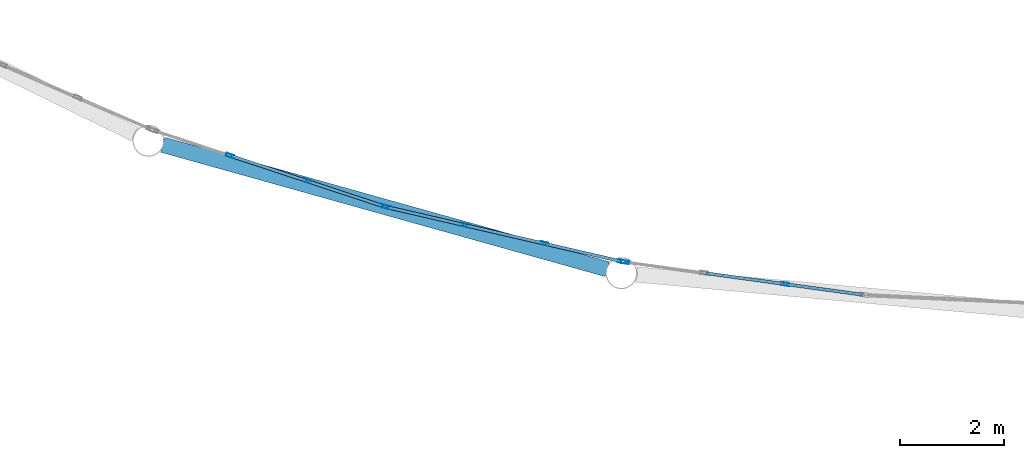
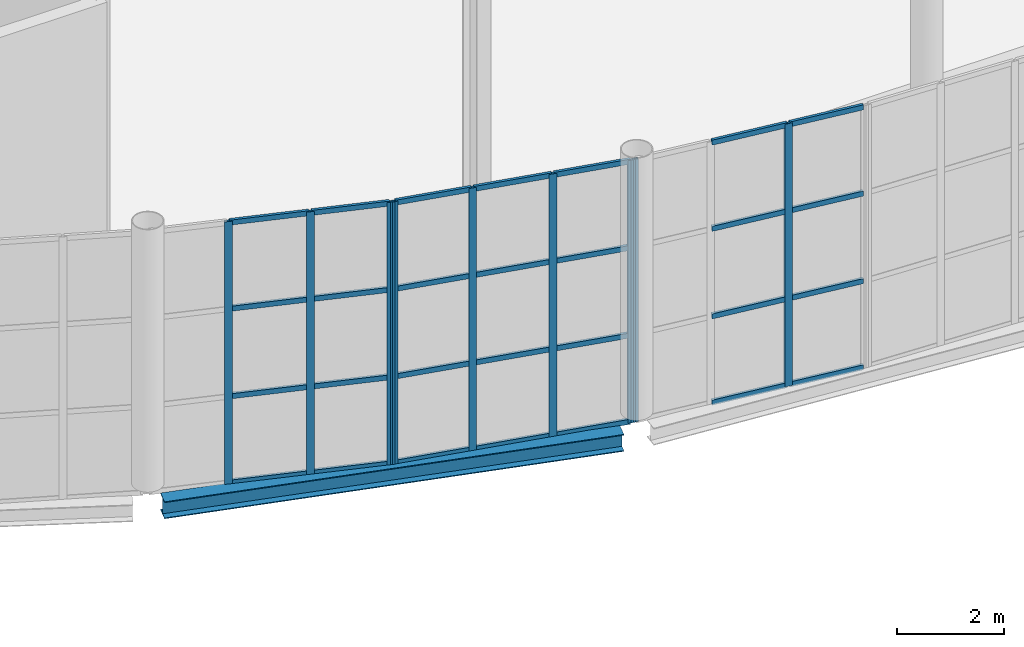
# One storey, part 41 of 191: 37 members, 1 beam, 3 elements without a shape of their own.
"""IFC4 building model written with IfcOpenShell, lengths in metres."""

from ifc_helpers import new_model, si_unit, direction, frame, origin, origin_2d, place, context, subcontext, project, spatial, hollow_rectangle, i_section, extrude, material, layer, layer_set, material_profile, profile_set, type_object, element, aggregate, save


model = new_model("IFC4")

# Units and contexts
model_context = context("Model", 3, precision=1e-05, world=origin(), true_north=direction((0.0, 1.0)))
body_context = subcontext(model_context, "Body", "Model", "MODEL_VIEW")
ifc_project = project(units=[si_unit("LENGTHUNIT", "METRE"), si_unit("AREAUNIT", "SQUARE_METRE"), si_unit("VOLUMEUNIT", "CUBIC_METRE"), si_unit("PLANEANGLEUNIT", "RADIAN"), si_unit("MASSUNIT", "GRAM", prefix="KILO")], contexts=[model_context])

# Site, building, storey
site_placement = place(None, origin())
site = spatial("IfcSite", under=ifc_project, at=site_placement, CompositionType="ELEMENT")
building_placement = place(site_placement, origin())
building = spatial("IfcBuilding", under=site, at=building_placement, Name="Tamarisk Ironworks Central Station", CompositionType="ELEMENT")
storey_placement = place(building_placement, frame((0.0, 0.0, 6.60009765625)))
storey = spatial("IfcBuildingStorey", under=building, at=storey_placement, Name="L01", CompositionType="ELEMENT", Elevation=6.60009765625)

# Beam
ifc_material_1 = material(Name="Structural steel S355J2", Category="steel")
ifc_material_profile_1 = material_profile(ifc_material_1, i_section(OverallWidth=0.300048828125, OverallDepth=0.389892578125, WebThickness=0.010986328125, FlangeThickness=0.01904296875, at=origin_2d()), Name="HEA 400")
ifc_profile_set_1 = profile_set([ifc_material_profile_1], Name="Structural steel S355J2")
beam_type = type_object("IfcBeamType", Name="BM-G07", PredefinedType="BEAM", material=ifc_profile_set_1)
beam_placement = place(storey_placement, frame((62.76318359375, 6.570556640625, -0.5751953125), z_axis=(0.962975154525, -0.269590155174, 0.0), x_axis=(0.269590155174, 0.962975154525, 0.0)))
element("IfcBeam", 1, at=beam_placement, inside=storey, type_object=beam_type, Name="SN rounded nose L01 chord girder 003", PredefinedType="BEAM", context=body_context, shape_type="SweptSolid", body=[
    extrude(i_section(OverallWidth=0.300048828125, OverallDepth=0.389892578125, WebThickness=0.010986328125, FlangeThickness=0.01904296875, at=origin_2d()), origin(), (0.0, 0.0, 1.0), 8.88037109375),
])

# Curtain wall, members
ifc_material_2 = material(Name="Anodized aluminium alloy 6063-T6", Category="aluminium")
ifc_layer = layer(ifc_material_2, 0.179931640625)
ifc_layer_set = layer_set([ifc_layer], Name="Anodized aluminium alloy 6063-T6")
curtain_wall_type = type_object("IfcCurtainWallType", Name="CW-02", PredefinedType="USERDEFINED", material=ifc_layer_set)
curtain_wall_1_placement = place(storey_placement, origin())
curtain_wall_1 = element("IfcCurtainWall", 2, at=curtain_wall_1_placement, inside=storey, type_object=curtain_wall_type, Name="SN rounded entrance hall L01 curtain wall bay 03", ObjectType="GLAZED CURTAIN WALL", PredefinedType="USERDEFINED")
ifc_material_profile_2 = material_profile(ifc_material_2, hollow_rectangle(XDim=0.06005859375, YDim=0.14990234375, WallThickness=0.00341796875, at=origin_2d()), Name="ALUM 150x60")
ifc_profile_set_2 = profile_set([ifc_material_profile_2], Name="Anodized aluminium alloy 6063-T6")
member_type_1 = type_object("IfcMemberType", Name="CWM-03", PredefinedType="MULLION", material=ifc_profile_set_2)
member_1_placement = place(storey_placement, frame((64.05908203125, 6.361083984375, -0.385009765625), z_axis=(0.0, 0.0, 1.0), x_axis=(0.313098460171, 0.949720671692, 0.0)))
member_1 = element("IfcMember", 3, at=member_1_placement, type_object=member_type_1, Name="CW02 mullion 2", PredefinedType="MULLION", context=body_context, shape_type="SweptSolid", body=[
    extrude(hollow_rectangle(XDim=0.06005859375, YDim=0.14990234375, WallThickness=0.00341796875, at=origin_2d()), origin(), (0.0, 0.0, 1.0), 6.0048828125),
])
member_2_placement = place(storey_placement, frame((65.550048828125, 5.86962890625, -0.385009765625), z_axis=(0.0, 0.0, 1.0), x_axis=(0.313098460171, 0.949720671692, 0.0)))
member_2 = element("IfcMember", 4, at=member_2_placement, type_object=member_type_1, Name="CW02 mullion 3", PredefinedType="MULLION", context=body_context, shape_type="SweptSolid", body=[
    extrude(hollow_rectangle(XDim=0.06005859375, YDim=0.14990234375, WallThickness=0.00341796875, at=origin_2d()), origin(), (0.0, 0.0, 1.0), 6.0048828125),
])
member_3_placement = place(storey_placement, frame((67.0126953125, 5.387451171875, -0.385009765625), z_axis=(0.0, 0.0, 1.0), x_axis=(0.313098460171, 0.949720671692, 0.0)))
member_3 = element("IfcMember", 5, at=member_3_placement, type_object=member_type_1, Name="CW02 mullion 4", PredefinedType="MULLION", context=body_context, shape_type="SweptSolid", body=[
    extrude(hollow_rectangle(XDim=0.06005859375, YDim=0.14990234375, WallThickness=0.00341796875, at=origin_2d()), origin(), (0.0, 0.0, 1.0), 6.0048828125),
])

curtain_wall_2_placement = place(storey_placement, origin())
curtain_wall_2 = element("IfcCurtainWall", 6, at=curtain_wall_2_placement, inside=storey, type_object=curtain_wall_type, Name="SN rounded entrance hall L01 curtain wall bay 04", ObjectType="GLAZED CURTAIN WALL", PredefinedType="USERDEFINED")
member_4_placement = place(storey_placement, frame((67.0703125, 5.371337890625, -0.385009765625), z_axis=(0.0, 0.0, 1.0), x_axis=(0.225516966506, 0.974239240545, 0.0)))
member_4 = element("IfcMember", 7, at=member_4_placement, type_object=member_type_1, Name="CW02 mullion 1", PredefinedType="MULLION", context=body_context, shape_type="SweptSolid", body=[
    extrude(hollow_rectangle(XDim=0.06005859375, YDim=0.14990234375, WallThickness=0.00341796875, at=origin_2d()), origin(), (0.0, 0.0, 1.0), 6.0048828125),
])
member_5_placement = place(storey_placement, frame((68.570556640625, 5.02392578125, -0.385009765625), z_axis=(0.0, 0.0, 1.0), x_axis=(0.225516966506, 0.974239240545, 0.0)))
member_5 = element("IfcMember", 8, at=member_5_placement, type_object=member_type_1, Name="CW02 mullion 2", PredefinedType="MULLION", context=body_context, shape_type="SweptSolid", body=[
    extrude(hollow_rectangle(XDim=0.06005859375, YDim=0.14990234375, WallThickness=0.00341796875, at=origin_2d()), origin(), (0.0, 0.0, 1.0), 6.0048828125),
])
member_6_placement = place(storey_placement, frame((70.099853515625, 4.669921875, -0.385009765625), z_axis=(0.0, 0.0, 1.0), x_axis=(0.225516966506, 0.974239240545, 0.0)))
member_6 = element("IfcMember", 9, at=member_6_placement, type_object=member_type_1, Name="CW02 mullion 3", PredefinedType="MULLION", context=body_context, shape_type="SweptSolid", body=[
    extrude(hollow_rectangle(XDim=0.06005859375, YDim=0.14990234375, WallThickness=0.00341796875, at=origin_2d()), origin(), (0.0, 0.0, 1.0), 6.0048828125),
])
member_7_placement = place(storey_placement, frame((71.60009765625, 4.32275390625, -0.385009765625), z_axis=(0.0, 0.0, 1.0), x_axis=(0.225516966506, 0.974239240545, 0.0)))
member_7 = element("IfcMember", 10, at=member_7_placement, type_object=member_type_1, Name="CW02 mullion 4", PredefinedType="MULLION", context=body_context, shape_type="SweptSolid", body=[
    extrude(hollow_rectangle(XDim=0.06005859375, YDim=0.14990234375, WallThickness=0.00341796875, at=origin_2d()), origin(), (0.0, 0.0, 1.0), 6.0048828125),
])

curtain_wall_3_placement = place(storey_placement, origin())
curtain_wall_3 = element("IfcCurtainWall", 11, at=curtain_wall_3_placement, inside=storey, type_object=curtain_wall_type, Name="SN rounded entrance hall L01 curtain wall bay 05", ObjectType="GLAZED CURTAIN WALL", PredefinedType="USERDEFINED")
member_8_placement = place(storey_placement, frame((71.6591796875, 4.311767578125, -0.385009765625), z_axis=(0.0, 0.0, 1.0), x_axis=(0.136041725218, 0.990703108403, 0.0)))
member_8 = element("IfcMember", 12, at=member_8_placement, type_object=member_type_1, Name="CW02 mullion 1", PredefinedType="MULLION", context=body_context, shape_type="SweptSolid", body=[
    extrude(hollow_rectangle(XDim=0.06005859375, YDim=0.14990234375, WallThickness=0.00341796875, at=origin_2d()), origin(), (0.0, 0.0, 1.0), 6.0048828125),
])
member_9_placement = place(storey_placement, frame((74.739990234375, 3.888671875, -0.385009765625), z_axis=(0.0, 0.0, 1.0), x_axis=(0.136041725218, 0.990703108403, 0.0)))
member_9 = element("IfcMember", 13, at=member_9_placement, type_object=member_type_1, Name="CW02 mullion 3", PredefinedType="MULLION", context=body_context, shape_type="SweptSolid", body=[
    extrude(hollow_rectangle(XDim=0.06005859375, YDim=0.14990234375, WallThickness=0.00341796875, at=origin_2d()), origin(), (0.0, 0.0, 1.0), 6.0048828125),
])

# Member
ifc_material_profile_3 = material_profile(ifc_material_2, hollow_rectangle(XDim=0.06005859375, YDim=0.114990234375, WallThickness=0.00341796875, at=origin_2d()), Name="ALUM 115x60")
ifc_profile_set_3 = profile_set([ifc_material_profile_3], Name="Anodized aluminium alloy 6063-T6")
member_type_2 = type_object("IfcMemberType", Name="CWT-03", PredefinedType="USERDEFINED", material=ifc_profile_set_3)
member_10_placement = place(storey_placement, frame((64.083740234375, 6.35302734375, -0.35498046875), z_axis=(0.94970759138, -0.313138133856, 0.0), x_axis=(0.313138133856, 0.94970759138, 0.0)))
member_10 = element("IfcMember", 14, at=member_10_placement, type_object=member_type_2, Name="CW02 transom 2.1", ObjectType="TRANSOM", PredefinedType="USERDEFINED", context=body_context, shape_type="SweptSolid", body=[
    extrude(hollow_rectangle(XDim=0.06005859375, YDim=0.114990234375, WallThickness=0.00341796875, at=origin_2d()), origin(), (0.0, 0.0, 1.0), 1.51806640625),
])

member_11_placement = place(storey_placement, frame((64.083740234375, 6.35302734375, 1.61669921875), z_axis=(0.94970759138, -0.313138133856, 0.0), x_axis=(0.313138133856, 0.94970759138, 0.0)))
member_11 = element("IfcMember", 15, at=member_11_placement, type_object=member_type_2, Name="CW02 transom 2.2", ObjectType="TRANSOM", PredefinedType="USERDEFINED", context=body_context, shape_type="SweptSolid", body=[
    extrude(hollow_rectangle(XDim=0.06005859375, YDim=0.114990234375, WallThickness=0.00341796875, at=origin_2d()), origin(), (0.0, 0.0, 1.0), 1.51806640625),
])

member_12_placement = place(storey_placement, frame((64.083740234375, 6.35302734375, 3.6181640625), z_axis=(0.94970759138, -0.313138133856, 0.0), x_axis=(0.313138133856, 0.94970759138, 0.0)))
member_12 = element("IfcMember", 16, at=member_12_placement, type_object=member_type_2, Name="CW02 transom 2.3", ObjectType="TRANSOM", PredefinedType="USERDEFINED", context=body_context, shape_type="SweptSolid", body=[
    extrude(hollow_rectangle(XDim=0.06005859375, YDim=0.114990234375, WallThickness=0.00341796875, at=origin_2d()), origin(), (0.0, 0.0, 1.0), 1.51806640625),
])

member_13_placement = place(storey_placement, frame((64.083740234375, 6.35302734375, 5.58984375), z_axis=(0.94970759138, -0.313138133856, 0.0), x_axis=(0.313138133856, 0.94970759138, 0.0)))
member_13 = element("IfcMember", 17, at=member_13_placement, type_object=member_type_2, Name="CW02 transom 2.4", ObjectType="TRANSOM", PredefinedType="USERDEFINED", context=body_context, shape_type="SweptSolid", body=[
    extrude(hollow_rectangle(XDim=0.06005859375, YDim=0.114990234375, WallThickness=0.00341796875, at=origin_2d()), origin(), (0.0, 0.0, 1.0), 1.51806640625),
])

member_14_placement = place(storey_placement, frame((65.57470703125, 5.861328125, -0.35498046875), z_axis=(0.949744294942, -0.31302679474, 0.0), x_axis=(0.31302679474, 0.949744294942, 0.0)))
member_14 = element("IfcMember", 18, at=member_14_placement, type_object=member_type_2, Name="CW02 transom 3.1", ObjectType="TRANSOM", PredefinedType="USERDEFINED", context=body_context, shape_type="SweptSolid", body=[
    extrude(hollow_rectangle(XDim=0.06005859375, YDim=0.114990234375, WallThickness=0.00341796875, at=origin_2d()), origin(), (0.0, 0.0, 1.0), 1.488037109375),
])

member_15_placement = place(storey_placement, frame((65.57470703125, 5.861328125, 1.61669921875), z_axis=(0.949744294942, -0.31302679474, 0.0), x_axis=(0.31302679474, 0.949744294942, 0.0)))
member_15 = element("IfcMember", 19, at=member_15_placement, type_object=member_type_2, Name="CW02 transom 3.2", ObjectType="TRANSOM", PredefinedType="USERDEFINED", context=body_context, shape_type="SweptSolid", body=[
    extrude(hollow_rectangle(XDim=0.06005859375, YDim=0.114990234375, WallThickness=0.00341796875, at=origin_2d()), origin(), (0.0, 0.0, 1.0), 1.488037109375),
])

member_16_placement = place(storey_placement, frame((65.57470703125, 5.861328125, 3.6181640625), z_axis=(0.949744294942, -0.31302679474, 0.0), x_axis=(0.31302679474, 0.949744294942, 0.0)))
member_16 = element("IfcMember", 20, at=member_16_placement, type_object=member_type_2, Name="CW02 transom 3.3", ObjectType="TRANSOM", PredefinedType="USERDEFINED", context=body_context, shape_type="SweptSolid", body=[
    extrude(hollow_rectangle(XDim=0.06005859375, YDim=0.114990234375, WallThickness=0.00341796875, at=origin_2d()), origin(), (0.0, 0.0, 1.0), 1.488037109375),
])

member_17_placement = place(storey_placement, frame((65.57470703125, 5.861328125, 5.58984375), z_axis=(0.949744294942, -0.31302679474, 0.0), x_axis=(0.31302679474, 0.949744294942, 0.0)))
member_17 = element("IfcMember", 21, at=member_17_placement, type_object=member_type_2, Name="CW02 transom 3.4", ObjectType="TRANSOM", PredefinedType="USERDEFINED", context=body_context, shape_type="SweptSolid", body=[
    extrude(hollow_rectangle(XDim=0.06005859375, YDim=0.114990234375, WallThickness=0.00341796875, at=origin_2d()), origin(), (0.0, 0.0, 1.0), 1.488037109375),
])

aggregate(curtain_wall_1, [member_1, member_2, member_3, member_10, member_11, member_12, member_13, member_14, member_15, member_16, member_17])

member_18_placement = place(storey_placement, frame((67.095703125, 5.365478515625, -0.35498046875), z_axis=(0.97421389577, -0.225626428614, 0.0), x_axis=(0.225626428614, 0.97421389577, 0.0)))
member_18 = element("IfcMember", 22, at=member_18_placement, type_object=member_type_2, Name="CW02 transom 1.1", ObjectType="TRANSOM", PredefinedType="USERDEFINED", context=body_context, shape_type="SweptSolid", body=[
    extrude(hollow_rectangle(XDim=0.06005859375, YDim=0.114990234375, WallThickness=0.00341796875, at=origin_2d()), origin(), (0.0, 0.0, 1.0), 1.48779296875),
])

member_19_placement = place(storey_placement, frame((67.095703125, 5.365478515625, 1.61669921875), z_axis=(0.97421389577, -0.225626428614, 0.0), x_axis=(0.225626428614, 0.97421389577, 0.0)))
member_19 = element("IfcMember", 23, at=member_19_placement, type_object=member_type_2, Name="CW02 transom 1.2", ObjectType="TRANSOM", PredefinedType="USERDEFINED", context=body_context, shape_type="SweptSolid", body=[
    extrude(hollow_rectangle(XDim=0.06005859375, YDim=0.114990234375, WallThickness=0.00341796875, at=origin_2d()), origin(), (0.0, 0.0, 1.0), 1.48779296875),
])

member_20_placement = place(storey_placement, frame((67.095703125, 5.365478515625, 3.6181640625), z_axis=(0.97421389577, -0.225626428614, 0.0), x_axis=(0.225626428614, 0.97421389577, 0.0)))
member_20 = element("IfcMember", 24, at=member_20_placement, type_object=member_type_2, Name="CW02 transom 1.3", ObjectType="TRANSOM", PredefinedType="USERDEFINED", context=body_context, shape_type="SweptSolid", body=[
    extrude(hollow_rectangle(XDim=0.06005859375, YDim=0.114990234375, WallThickness=0.00341796875, at=origin_2d()), origin(), (0.0, 0.0, 1.0), 1.48779296875),
])

member_21_placement = place(storey_placement, frame((67.095703125, 5.365478515625, 5.58984375), z_axis=(0.97421389577, -0.225626428614, 0.0), x_axis=(0.225626428614, 0.97421389577, 0.0)))
member_21 = element("IfcMember", 25, at=member_21_placement, type_object=member_type_2, Name="CW02 transom 1.4", ObjectType="TRANSOM", PredefinedType="USERDEFINED", context=body_context, shape_type="SweptSolid", body=[
    extrude(hollow_rectangle(XDim=0.06005859375, YDim=0.114990234375, WallThickness=0.00341796875, at=origin_2d()), origin(), (0.0, 0.0, 1.0), 1.48779296875),
])

member_22_placement = place(storey_placement, frame((68.595947265625, 5.01806640625, -0.35498046875), z_axis=(0.974241883029, -0.225505550604, 0.0), x_axis=(0.225505550604, 0.974241883029, 0.0)))
member_22 = element("IfcMember", 26, at=member_22_placement, type_object=member_type_2, Name="CW02 transom 2.1", ObjectType="TRANSOM", PredefinedType="USERDEFINED", context=body_context, shape_type="SweptSolid", body=[
    extrude(hollow_rectangle(XDim=0.06005859375, YDim=0.114990234375, WallThickness=0.00341796875, at=origin_2d()), origin(), (0.0, 0.0, 1.0), 1.517822265625),
])

member_23_placement = place(storey_placement, frame((68.595947265625, 5.01806640625, 1.61669921875), z_axis=(0.974241883029, -0.225505550604, 0.0), x_axis=(0.225505550604, 0.974241883029, 0.0)))
member_23 = element("IfcMember", 27, at=member_23_placement, type_object=member_type_2, Name="CW02 transom 2.2", ObjectType="TRANSOM", PredefinedType="USERDEFINED", context=body_context, shape_type="SweptSolid", body=[
    extrude(hollow_rectangle(XDim=0.06005859375, YDim=0.114990234375, WallThickness=0.00341796875, at=origin_2d()), origin(), (0.0, 0.0, 1.0), 1.517822265625),
])

member_24_placement = place(storey_placement, frame((68.595947265625, 5.01806640625, 3.6181640625), z_axis=(0.974241883029, -0.225505550604, 0.0), x_axis=(0.225505550604, 0.974241883029, 0.0)))
member_24 = element("IfcMember", 28, at=member_24_placement, type_object=member_type_2, Name="CW02 transom 2.3", ObjectType="TRANSOM", PredefinedType="USERDEFINED", context=body_context, shape_type="SweptSolid", body=[
    extrude(hollow_rectangle(XDim=0.06005859375, YDim=0.114990234375, WallThickness=0.00341796875, at=origin_2d()), origin(), (0.0, 0.0, 1.0), 1.517822265625),
])

member_25_placement = place(storey_placement, frame((68.595947265625, 5.01806640625, 5.58984375), z_axis=(0.974241883029, -0.225505550604, 0.0), x_axis=(0.225505550604, 0.974241883029, 0.0)))
member_25 = element("IfcMember", 29, at=member_25_placement, type_object=member_type_2, Name="CW02 transom 2.4", ObjectType="TRANSOM", PredefinedType="USERDEFINED", context=body_context, shape_type="SweptSolid", body=[
    extrude(hollow_rectangle(XDim=0.06005859375, YDim=0.114990234375, WallThickness=0.00341796875, at=origin_2d()), origin(), (0.0, 0.0, 1.0), 1.517822265625),
])

member_26_placement = place(storey_placement, frame((70.125244140625, 4.6640625, -0.35498046875), z_axis=(0.9742582937, -0.225434640543, 0.0), x_axis=(0.225434640543, 0.9742582937, 0.0)))
member_26 = element("IfcMember", 30, at=member_26_placement, type_object=member_type_2, Name="CW02 transom 3.1", ObjectType="TRANSOM", PredefinedType="USERDEFINED", context=body_context, shape_type="SweptSolid", body=[
    extrude(hollow_rectangle(XDim=0.06005859375, YDim=0.114990234375, WallThickness=0.00341796875, at=origin_2d()), origin(), (0.0, 0.0, 1.0), 1.488037109375),
])

member_27_placement = place(storey_placement, frame((70.125244140625, 4.6640625, 1.61669921875), z_axis=(0.9742582937, -0.225434640543, 0.0), x_axis=(0.225434640543, 0.9742582937, 0.0)))
member_27 = element("IfcMember", 31, at=member_27_placement, type_object=member_type_2, Name="CW02 transom 3.2", ObjectType="TRANSOM", PredefinedType="USERDEFINED", context=body_context, shape_type="SweptSolid", body=[
    extrude(hollow_rectangle(XDim=0.06005859375, YDim=0.114990234375, WallThickness=0.00341796875, at=origin_2d()), origin(), (0.0, 0.0, 1.0), 1.488037109375),
])

member_28_placement = place(storey_placement, frame((70.125244140625, 4.6640625, 3.6181640625), z_axis=(0.9742582937, -0.225434640543, 0.0), x_axis=(0.225434640543, 0.9742582937, 0.0)))
member_28 = element("IfcMember", 32, at=member_28_placement, type_object=member_type_2, Name="CW02 transom 3.3", ObjectType="TRANSOM", PredefinedType="USERDEFINED", context=body_context, shape_type="SweptSolid", body=[
    extrude(hollow_rectangle(XDim=0.06005859375, YDim=0.114990234375, WallThickness=0.00341796875, at=origin_2d()), origin(), (0.0, 0.0, 1.0), 1.488037109375),
])

member_29_placement = place(storey_placement, frame((70.125244140625, 4.6640625, 5.58984375), z_axis=(0.9742582937, -0.225434640543, 0.0), x_axis=(0.225434640543, 0.9742582937, 0.0)))
member_29 = element("IfcMember", 33, at=member_29_placement, type_object=member_type_2, Name="CW02 transom 3.4", ObjectType="TRANSOM", PredefinedType="USERDEFINED", context=body_context, shape_type="SweptSolid", body=[
    extrude(hollow_rectangle(XDim=0.06005859375, YDim=0.114990234375, WallThickness=0.00341796875, at=origin_2d()), origin(), (0.0, 0.0, 1.0), 1.488037109375),
])

aggregate(curtain_wall_2, [member_4, member_5, member_6, member_7, member_18, member_19, member_20, member_21, member_22, member_23, member_24, member_25, member_26, member_27, member_28, member_29])

member_30_placement = place(storey_placement, frame((73.21044921875, 4.098876953125, -0.35498046875), z_axis=(0.990697552756, -0.136082177242, 0.0), x_axis=(0.136082177242, 0.990697552756, 0.0)))
member_30 = element("IfcMember", 34, at=member_30_placement, type_object=member_type_2, Name="CW02 transom 2.1", ObjectType="TRANSOM", PredefinedType="USERDEFINED", context=body_context, shape_type="SweptSolid", body=[
    extrude(hollow_rectangle(XDim=0.06005859375, YDim=0.114990234375, WallThickness=0.00341796875, at=origin_2d()), origin(), (0.0, 0.0, 1.0), 1.517822265625),
])

member_31_placement = place(storey_placement, frame((73.21044921875, 4.098876953125, 1.61669921875), z_axis=(0.990697552756, -0.136082177242, 0.0), x_axis=(0.136082177242, 0.990697552756, 0.0)))
member_31 = element("IfcMember", 35, at=member_31_placement, type_object=member_type_2, Name="CW02 transom 2.2", ObjectType="TRANSOM", PredefinedType="USERDEFINED", context=body_context, shape_type="SweptSolid", body=[
    extrude(hollow_rectangle(XDim=0.06005859375, YDim=0.114990234375, WallThickness=0.00341796875, at=origin_2d()), origin(), (0.0, 0.0, 1.0), 1.517822265625),
])

member_32_placement = place(storey_placement, frame((73.21044921875, 4.098876953125, 3.6181640625), z_axis=(0.990697552756, -0.136082177242, 0.0), x_axis=(0.136082177242, 0.990697552756, 0.0)))
member_32 = element("IfcMember", 36, at=member_32_placement, type_object=member_type_2, Name="CW02 transom 2.3", ObjectType="TRANSOM", PredefinedType="USERDEFINED", context=body_context, shape_type="SweptSolid", body=[
    extrude(hollow_rectangle(XDim=0.06005859375, YDim=0.114990234375, WallThickness=0.00341796875, at=origin_2d()), origin(), (0.0, 0.0, 1.0), 1.517822265625),
])

member_33_placement = place(storey_placement, frame((73.21044921875, 4.098876953125, 5.58984375), z_axis=(0.990697552756, -0.136082177242, 0.0), x_axis=(0.136082177242, 0.990697552756, 0.0)))
member_33 = element("IfcMember", 37, at=member_33_placement, type_object=member_type_2, Name="CW02 transom 2.4", ObjectType="TRANSOM", PredefinedType="USERDEFINED", context=body_context, shape_type="SweptSolid", body=[
    extrude(hollow_rectangle(XDim=0.06005859375, YDim=0.114990234375, WallThickness=0.00341796875, at=origin_2d()), origin(), (0.0, 0.0, 1.0), 1.517822265625),
])

member_34_placement = place(storey_placement, frame((74.765625, 3.88525390625, -0.35498046875), z_axis=(0.99070594436, -0.136021071195, 0.0), x_axis=(0.136021071195, 0.99070594436, 0.0)))
member_34 = element("IfcMember", 38, at=member_34_placement, type_object=member_type_2, Name="CW02 transom 3.1", ObjectType="TRANSOM", PredefinedType="USERDEFINED", context=body_context, shape_type="SweptSolid", body=[
    extrude(hollow_rectangle(XDim=0.06005859375, YDim=0.114990234375, WallThickness=0.00341796875, at=origin_2d()), origin(), (0.0, 0.0, 1.0), 1.488037109375),
])

member_35_placement = place(storey_placement, frame((74.765625, 3.88525390625, 1.61669921875), z_axis=(0.99070594436, -0.136021071195, 0.0), x_axis=(0.136021071195, 0.99070594436, 0.0)))
member_35 = element("IfcMember", 39, at=member_35_placement, type_object=member_type_2, Name="CW02 transom 3.2", ObjectType="TRANSOM", PredefinedType="USERDEFINED", context=body_context, shape_type="SweptSolid", body=[
    extrude(hollow_rectangle(XDim=0.06005859375, YDim=0.114990234375, WallThickness=0.00341796875, at=origin_2d()), origin(), (0.0, 0.0, 1.0), 1.488037109375),
])

member_36_placement = place(storey_placement, frame((74.765625, 3.88525390625, 3.6181640625), z_axis=(0.99070594436, -0.136021071195, 0.0), x_axis=(0.136021071195, 0.99070594436, 0.0)))
member_36 = element("IfcMember", 40, at=member_36_placement, type_object=member_type_2, Name="CW02 transom 3.3", ObjectType="TRANSOM", PredefinedType="USERDEFINED", context=body_context, shape_type="SweptSolid", body=[
    extrude(hollow_rectangle(XDim=0.06005859375, YDim=0.114990234375, WallThickness=0.00341796875, at=origin_2d()), origin(), (0.0, 0.0, 1.0), 1.488037109375),
])

member_37_placement = place(storey_placement, frame((74.765625, 3.88525390625, 5.58984375), z_axis=(0.99070594436, -0.136021071195, 0.0), x_axis=(0.136021071195, 0.99070594436, 0.0)))
member_37 = element("IfcMember", 41, at=member_37_placement, type_object=member_type_2, Name="CW02 transom 3.4", ObjectType="TRANSOM", PredefinedType="USERDEFINED", context=body_context, shape_type="SweptSolid", body=[
    extrude(hollow_rectangle(XDim=0.06005859375, YDim=0.114990234375, WallThickness=0.00341796875, at=origin_2d()), origin(), (0.0, 0.0, 1.0), 1.488037109375),
])

aggregate(curtain_wall_3, [member_8, member_9, member_30, member_31, member_32, member_33, member_34, member_35, member_36, member_37])

save(model, "model.ifc")
